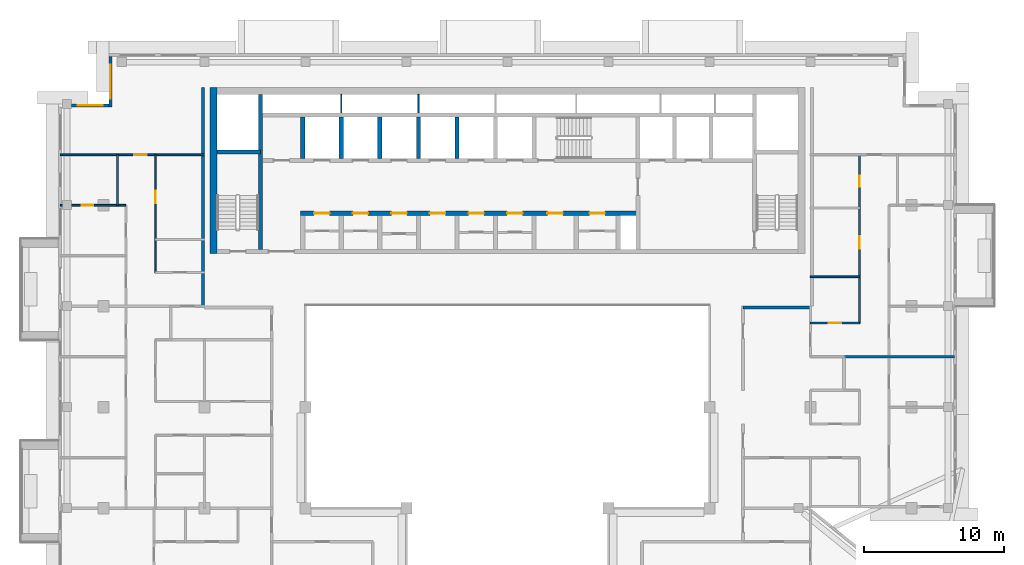
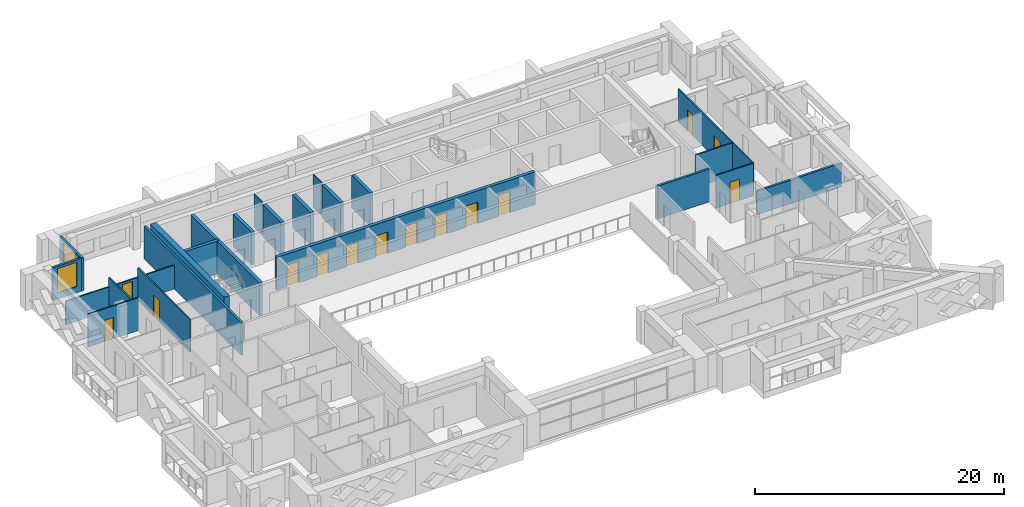
# One storey, part 10 of 19: 23 walls, 14 doors, 2 windows, 16 openings.
"""IFC4 building model written with IfcOpenShell, lengths in metres."""

from ifc_helpers import new_model, si_unit, direction, frame, frame_2d, origin, place, context, subcontext, project, spatial, rectangle, extrude, material, layer, layer_set, type_object, element, fill, save


model = new_model("IFC4")

# Units and contexts
model_context = context("Model", 3, precision=1e-05, world=origin(), true_north=direction((0.0, 1.0)))
body_context = subcontext(model_context, "Body", "Model", "MODEL_VIEW")
ifc_project = project(units=[si_unit("LENGTHUNIT", "METRE"), si_unit("AREAUNIT", "SQUARE_METRE"), si_unit("VOLUMEUNIT", "CUBIC_METRE"), si_unit("PLANEANGLEUNIT", "RADIAN"), si_unit("MASSUNIT", "GRAM", prefix="KILO")], contexts=[model_context])

# Site, building, storey
site_placement = place(None, origin())
site = spatial("IfcSite", under=ifc_project, at=site_placement, CompositionType="ELEMENT")
building_placement = place(site_placement, origin())
building = spatial("IfcBuilding", under=site, at=building_placement, Name="Saffron Iwan Residences", CompositionType="ELEMENT")
storey_placement = place(building_placement, frame((0.0, 0.0, 250.0)))
storey = spatial("IfcBuildingStorey", under=building, at=storey_placement, Name="L67", CompositionType="ELEMENT", Elevation=250.0)

# Wall, opening, window
ifc_material_1 = material(Name="Concrete C40/50", Category="concrete")
ifc_layer_1 = layer(ifc_material_1, 0.199951171875)
ifc_layer_set_1 = layer_set([ifc_layer_1], Name="Concrete C40/50")
wall_type_1 = type_object("IfcWallType", Name="EXTERNAL WALL 200", PredefinedType="SOLIDWALL", material=ifc_layer_set_1)
wall_1_placement = place(storey_placement, frame((22.10009765625, 80.199951171875, 0.0), z_axis=(0.0, 0.0, 1.0), x_axis=(0.0, -1.0, 0.0)))
wall_1 = element("IfcWall", 1, at=wall_1_placement, inside=storey, type_object=wall_type_1, Name="External wall L67 F6.0", PredefinedType="SOLIDWALL", context=body_context, shape_type="SweptSolid", body=[
    extrude(rectangle(XDim=3.599853515625, YDim=0.199951171875, at=frame_2d((1.7998046875, 0.0))), origin(), (0.0, 0.0, 1.0), 3.219970703125),
])
opening_1_placement = place(wall_1_placement, frame((0.60009765625, 0.0, 0.60009765625)))
opening_1 = element("IfcOpeningElement", 2, at=opening_1_placement, cuts=wall_1, Name="Opening W1", PredefinedType="OPENING", context=body_context, shape_type="SweptSolid", body=[
    extrude(rectangle(XDim=2.39990234375, YDim=2.39990234375, at=frame_2d((1.199951171875, 1.199951171875))), frame((0.0, 0.10986328125, 0.0), z_axis=(0.0, -1.0, 0.0), x_axis=(1.0, 0.0, 0.0)), (0.0, 0.0, 1.0), 0.219970703125),
])
ifc_material_2 = material(Name="Clear glass, laminated double glazed", Category="glass")
window_type_1 = type_object("IfcWindowType", Name="WINDOW 2400 x 2400", PartitioningType="DOUBLE_PANEL_VERTICAL", PredefinedType="WINDOW", material=ifc_material_2)
window_1_placement = place(opening_1_placement, origin())
window_1 = element("IfcWindow", 3, at=window_1_placement, inside=storey, type_object=window_type_1, Name="Window L67 F6.0", OverallHeight=2.39990234375, OverallWidth=2.39990234375, PartitioningType="DOUBLE_PANEL_VERTICAL", PredefinedType="WINDOW", context=body_context, shape_type="SweptSolid", body=[
    extrude(rectangle(XDim=2.39990234375, YDim=2.39990234375, at=frame_2d((1.199951171875, 1.199951171875))), frame((0.0, 0.030029296875, 0.0), z_axis=(0.0, -1.0, 0.0), x_axis=(1.0, 0.0, 0.0)), (0.0, 0.0, 1.0), 0.06005859375),
])
fill(opening_1, window_1)

wall_2_placement = place(storey_placement, frame((22.0, 76.699951171875, 0.0), z_axis=(0.0, 0.0, 1.0), x_axis=(-1.0, 0.0, 0.0)))
wall_2 = element("IfcWall", 4, at=wall_2_placement, inside=storey, type_object=wall_type_1, Name="External wall L67 F7.0", PredefinedType="SOLIDWALL", context=body_context, shape_type="SweptSolid", body=[
    extrude(rectangle(XDim=2.675048828125, YDim=0.199951171875, at=frame_2d((1.33740234375, 0.0))), origin(), (0.0, 0.0, 1.0), 3.219970703125),
])
opening_2_placement = place(wall_2_placement, frame((0.4375, 0.0, 0.60009765625)))
opening_2 = element("IfcOpeningElement", 5, at=opening_2_placement, cuts=wall_2, Name="Opening W8", PredefinedType="OPENING", context=body_context, shape_type="SweptSolid", body=[
    extrude(rectangle(XDim=1.800048828125, YDim=2.39990234375, at=frame_2d((0.89990234375, 1.199951171875))), frame((0.0, 0.10986328125, 0.0), z_axis=(0.0, -1.0, 0.0), x_axis=(1.0, 0.0, 0.0)), (0.0, 0.0, 1.0), 0.219970703125),
])
window_type_2 = type_object("IfcWindowType", Name="WINDOW 1800 x 2400", PartitioningType="DOUBLE_PANEL_VERTICAL", PredefinedType="WINDOW", material=ifc_material_2)
window_2_placement = place(opening_2_placement, origin())
window_2 = element("IfcWindow", 6, at=window_2_placement, inside=storey, type_object=window_type_2, Name="Window L67 F7.0", OverallHeight=2.39990234375, OverallWidth=1.800048828125, PartitioningType="DOUBLE_PANEL_VERTICAL", PredefinedType="WINDOW", context=body_context, shape_type="SweptSolid", body=[
    extrude(rectangle(XDim=1.800048828125, YDim=2.39990234375, at=frame_2d((0.89990234375, 1.199951171875))), frame((0.0, 0.030029296875, 0.0), z_axis=(0.0, -1.0, 0.0), x_axis=(1.0, 0.0, 0.0)), (0.0, 0.0, 1.0), 0.06005859375),
])
fill(opening_2, window_2)

# Wall
ifc_material_3 = material(Name="Fire-rated gypsum board wall")
ifc_layer_2 = layer(ifc_material_3, 0.199951171875)
ifc_layer_set_2 = layer_set([ifc_layer_2], Name="Fire-rated gypsum board wall")
wall_type_2 = type_object("IfcWallType", Name="Flat demising wall 200", PredefinedType="SOLIDWALL", material=ifc_layer_set_2)
wall_3_placement = place(storey_placement, frame((74.39990234375, 58.800048828125, 0.0), z_axis=(0.0, 0.0, 1.0), x_axis=(1.0, 0.0, 0.0)))
element("IfcWall", 7, at=wall_3_placement, inside=storey, type_object=wall_type_2, Name="W-L67-DEMISE-h58.8-74.4", PredefinedType="SOLIDWALL", context=body_context, shape_type="SweptSolid", body=[
    extrude(rectangle(XDim=7.875, YDim=0.199951171875, at=frame_2d((3.9375, 0.0))), origin(), (0.0, 0.0, 1.0), 2.320068359375),
])

# Wall, opening, door
ifc_material_4 = material(Name="Gypsum board partition")
ifc_layer_3 = layer(ifc_material_4, 0.1201171875)
ifc_layer_set_3 = layer_set([ifc_layer_3], Name="Gypsum board partition")
wall_type_3 = type_object("IfcWallType", Name="Flat partition 120", PredefinedType="PARTITIONING", material=ifc_layer_set_3)
wall_4_placement = place(storey_placement, frame((72.0, 61.199951171875, 0.0), z_axis=(0.0, 0.0, 1.0), x_axis=(1.0, 0.0, 0.0)))
wall_4 = element("IfcWall", 8, at=wall_4_placement, inside=storey, type_object=wall_type_3, Name="W-L67-PART-h61.2-72", PredefinedType="PARTITIONING", context=body_context, shape_type="SweptSolid", body=[
    extrude(rectangle(XDim=3.5, YDim=0.1201171875, at=frame_2d((1.75, 0.0))), origin(), (0.0, 0.0, 1.0), 3.219970703125),
])
opening_3_placement = place(wall_4_placement, frame((1.300048828125, 0.0, 0.0)))
opening_3 = element("IfcOpeningElement", 9, at=opening_3_placement, cuts=wall_4, Name="Opening FD2", PredefinedType="OPENING", context=body_context, shape_type="SweptSolid", body=[
    extrude(rectangle(XDim=0.89990234375, YDim=2.10009765625, at=frame_2d((0.449951171875, 1.050048828125))), frame((0.0, 0.070068359375, 0.0), z_axis=(0.0, -1.0, 0.0), x_axis=(1.0, 0.0, 0.0)), (0.0, 0.0, 1.0), 0.14013671875),
])
ifc_material_5 = material(Name="Timber door", Category="wood")
door_type_1 = type_object("IfcDoorType", Name="Flat door 900", OperationType="NOTDEFINED", PredefinedType="DOOR", material=ifc_material_5)
door_1_placement = place(opening_3_placement, origin())
door_1 = element("IfcDoor", 10, at=door_1_placement, inside=storey, type_object=door_type_1, Name="Door L67-037", OperationType="SINGLE_SWING_LEFT", OverallHeight=2.10009765625, OverallWidth=0.89990234375, PredefinedType="DOOR", context=body_context, shape_type="SweptSolid", body=[
    extrude(rectangle(XDim=0.89990234375, YDim=2.10009765625, at=frame_2d((0.449951171875, 1.050048828125))), frame((0.0, 0.02490234375, 0.0), z_axis=(0.0, -1.0, 0.0), x_axis=(1.0, 0.0, 0.0)), (0.0, 0.0, 1.0), 0.050048828125),
])
fill(opening_3, door_1)

# Wall
wall_5_placement = place(storey_placement, frame((72.0, 64.5, 0.0), z_axis=(0.0, 0.0, 1.0), x_axis=(1.0, 0.0, 0.0)))
element("IfcWall", 11, at=wall_5_placement, inside=storey, type_object=wall_type_3, Name="W-L67-PART-h64.5-72", PredefinedType="PARTITIONING", context=body_context, shape_type="SweptSolid", body=[
    extrude(rectangle(XDim=3.5, YDim=0.1201171875, at=frame_2d((1.75, 0.0))), origin(), (0.0, 0.0, 1.0), 3.219970703125),
])

# Wall, opening, door
wall_6_placement = place(storey_placement, frame((18.52490234375, 69.60009765625, 0.0), z_axis=(0.0, 0.0, 1.0), x_axis=(1.0, 0.0, 0.0)))
wall_6 = element("IfcWall", 12, at=wall_6_placement, inside=storey, type_object=wall_type_3, Name="W-L67-PART-h69.6-18.525", PredefinedType="PARTITIONING", context=body_context, shape_type="SweptSolid", body=[
    extrude(rectangle(XDim=4.675048828125, YDim=0.1201171875, at=frame_2d((2.33740234375, 0.0))), origin(), (0.0, 0.0, 1.0), 3.219970703125),
])
opening_4_placement = place(wall_6_placement, frame((1.53759765625, 0.0, 0.0)))
opening_4 = element("IfcOpeningElement", 13, at=opening_4_placement, cuts=wall_6, Name="Opening FD3", PredefinedType="OPENING", context=body_context, shape_type="SweptSolid", body=[
    extrude(rectangle(XDim=0.800048828125, YDim=2.10009765625, at=frame_2d((0.39990234375, 1.050048828125))), frame((0.0, 0.070068359375, 0.0), z_axis=(0.0, -1.0, 0.0), x_axis=(1.0, 0.0, 0.0)), (0.0, 0.0, 1.0), 0.14013671875),
])
door_type_2 = type_object("IfcDoorType", Name="Bathroom door 800", OperationType="NOTDEFINED", PredefinedType="DOOR", material=ifc_material_5)
door_2_placement = place(opening_4_placement, origin())
door_2 = element("IfcDoor", 14, at=door_2_placement, inside=storey, type_object=door_type_2, Name="Door L67-027", OperationType="SINGLE_SWING_LEFT", OverallHeight=2.10009765625, OverallWidth=0.800048828125, PredefinedType="DOOR", context=body_context, shape_type="SweptSolid", body=[
    extrude(rectangle(XDim=0.800048828125, YDim=2.10009765625, at=frame_2d((0.39990234375, 1.050048828125))), frame((0.0, 0.02490234375, 0.0), z_axis=(0.0, -1.0, 0.0), x_axis=(1.0, 0.0, 0.0)), (0.0, 0.0, 1.0), 0.050048828125),
])
fill(opening_4, door_2)

wall_7_placement = place(storey_placement, frame((18.52490234375, 73.199951171875, 0.0), z_axis=(0.0, 0.0, 1.0), x_axis=(1.0, 0.0, 0.0)))
wall_7 = element("IfcWall", 15, at=wall_7_placement, inside=storey, type_object=wall_type_3, Name="W-L67-PART-h73.2-18.525", PredefinedType="PARTITIONING", context=body_context, shape_type="SweptSolid", body=[
    extrude(rectangle(XDim=10.275146484375, YDim=0.1201171875, at=frame_2d((5.1376953125, 0.0))), origin(), (0.0, 0.0, 1.0), 2.320068359375),
])
opening_5_placement = place(wall_7_placement, frame((5.27490234375, 0.0, 0.0)))
opening_5 = element("IfcOpeningElement", 16, at=opening_5_placement, cuts=wall_7, Name="Opening FD2", PredefinedType="OPENING", context=body_context, shape_type="SweptSolid", body=[
    extrude(rectangle(XDim=0.89990234375, YDim=2.10009765625, at=frame_2d((0.449951171875, 1.050048828125))), frame((0.0, 0.070068359375, 0.0), z_axis=(0.0, -1.0, 0.0), x_axis=(1.0, 0.0, 0.0)), (0.0, 0.0, 1.0), 0.14013671875),
])
door_3_placement = place(opening_5_placement, origin())
door_3 = element("IfcDoor", 17, at=door_3_placement, inside=storey, type_object=door_type_1, Name="Door L67-028", OperationType="SINGLE_SWING_LEFT", OverallHeight=2.10009765625, OverallWidth=0.89990234375, PredefinedType="DOOR", context=body_context, shape_type="SweptSolid", body=[
    extrude(rectangle(XDim=0.89990234375, YDim=2.10009765625, at=frame_2d((0.449951171875, 1.050048828125))), frame((0.0, 0.02490234375, 0.0), z_axis=(0.0, -1.0, 0.0), x_axis=(1.0, 0.0, 0.0)), (0.0, 0.0, 1.0), 0.050048828125),
])
fill(opening_5, door_3)

# Wall
wall_8_placement = place(storey_placement, frame((22.60009765625, 69.60009765625, 0.0), z_axis=(0.0, 0.0, 1.0), x_axis=(0.0, 1.0, 0.0)))
element("IfcWall", 18, at=wall_8_placement, inside=storey, type_object=wall_type_3, Name="W-L67-PART-v22.6-69.6", PredefinedType="PARTITIONING", context=body_context, shape_type="SweptSolid", body=[
    extrude(rectangle(XDim=3.599853515625, YDim=0.1201171875, at=frame_2d((1.7998046875, 0.0))), origin(), (0.0, 0.0, 1.0), 3.219970703125),
])

# Wall, opening, door
wall_9_placement = place(storey_placement, frame((25.300048828125, 64.800048828125, 0.0), z_axis=(0.0, 0.0, 1.0), x_axis=(0.0, 1.0, 0.0)))
wall_9 = element("IfcWall", 19, at=wall_9_placement, inside=storey, type_object=wall_type_3, Name="W-L67-PART-v25.3-64.8", PredefinedType="PARTITIONING", context=body_context, shape_type="SweptSolid", body=[
    extrude(rectangle(XDim=8.39990234375, YDim=0.1201171875, at=frame_2d((4.199951171875, 0.0))), origin(), (0.0, 0.0, 1.0), 3.219970703125),
])
opening_6_placement = place(wall_9_placement, frame((4.925048828125, 0.0, 0.0)))
opening_6 = element("IfcOpeningElement", 20, at=opening_6_placement, cuts=wall_9, Name="Opening FD2", PredefinedType="OPENING", context=body_context, shape_type="SweptSolid", body=[
    extrude(rectangle(XDim=0.89990234375, YDim=2.10009765625, at=frame_2d((0.449951171875, 1.050048828125))), frame((0.0, 0.070068359375, 0.0), z_axis=(0.0, -1.0, 0.0), x_axis=(1.0, 0.0, 0.0)), (0.0, 0.0, 1.0), 0.14013671875),
])
door_4_placement = place(opening_6_placement, origin())
door_4 = element("IfcDoor", 21, at=door_4_placement, inside=storey, type_object=door_type_1, Name="Door L67-030", OperationType="SINGLE_SWING_RIGHT", OverallHeight=2.10009765625, OverallWidth=0.89990234375, PredefinedType="DOOR", context=body_context, shape_type="SweptSolid", body=[
    extrude(rectangle(XDim=0.89990234375, YDim=2.10009765625, at=frame_2d((0.449951171875, 1.050048828125))), frame((0.0, 0.02490234375, 0.0), z_axis=(0.0, -1.0, 0.0), x_axis=(1.0, 0.0, 0.0)), (0.0, 0.0, 1.0), 0.050048828125),
])
fill(opening_6, door_4)

# Wall, openings, doors
wall_10_placement = place(storey_placement, frame((75.5, 61.199951171875, 0.0), z_axis=(0.0, 0.0, 1.0), x_axis=(0.0, 1.0, 0.0)))
wall_10 = element("IfcWall", 22, at=wall_10_placement, inside=storey, type_object=wall_type_3, Name="W-L67-PART-v75.5-61.2", PredefinedType="PARTITIONING", context=body_context, shape_type="SweptSolid", body=[
    extrude(rectangle(XDim=12.0, YDim=0.1201171875, at=frame_2d((6.0, 0.0))), origin(), (0.0, 0.0, 1.0), 3.219970703125),
])
opening_7_placement = place(wall_10_placement, frame((5.300048828125, 0.0, 0.0)))
opening_7 = element("IfcOpeningElement", 23, at=opening_7_placement, cuts=wall_10, Name="Opening FD2", PredefinedType="OPENING", context=body_context, shape_type="SweptSolid", body=[
    extrude(rectangle(XDim=0.89990234375, YDim=2.10009765625, at=frame_2d((0.449951171875, 1.050048828125))), frame((0.0, 0.070068359375, 0.0), z_axis=(0.0, -1.0, 0.0), x_axis=(1.0, 0.0, 0.0)), (0.0, 0.0, 1.0), 0.14013671875),
])
opening_8_placement = place(wall_10_placement, frame((9.699951171875, 0.0, 0.0)))
opening_8 = element("IfcOpeningElement", 24, at=opening_8_placement, cuts=wall_10, Name="Opening FD3", PredefinedType="OPENING", context=body_context, shape_type="SweptSolid", body=[
    extrude(rectangle(XDim=0.800048828125, YDim=2.10009765625, at=frame_2d((0.39990234375, 1.050048828125))), frame((0.0, 0.070068359375, 0.0), z_axis=(0.0, -1.0, 0.0), x_axis=(1.0, 0.0, 0.0)), (0.0, 0.0, 1.0), 0.14013671875),
])
door_5_placement = place(opening_8_placement, origin())
door_5 = element("IfcDoor", 25, at=door_5_placement, inside=storey, type_object=door_type_2, Name="Door L67-039", OperationType="SINGLE_SWING_RIGHT", OverallHeight=2.10009765625, OverallWidth=0.800048828125, PredefinedType="DOOR", context=body_context, shape_type="SweptSolid", body=[
    extrude(rectangle(XDim=0.800048828125, YDim=2.10009765625, at=frame_2d((0.39990234375, 1.050048828125))), frame((0.0, 0.02490234375, 0.0), z_axis=(0.0, -1.0, 0.0), x_axis=(1.0, 0.0, 0.0)), (0.0, 0.0, 1.0), 0.050048828125),
])
fill(opening_8, door_5)
door_6_placement = place(opening_7_placement, origin())
door_6 = element("IfcDoor", 26, at=door_6_placement, inside=storey, type_object=door_type_1, Name="Door L67-038", OperationType="SINGLE_SWING_LEFT", OverallHeight=2.10009765625, OverallWidth=0.89990234375, PredefinedType="DOOR", context=body_context, shape_type="SweptSolid", body=[
    extrude(rectangle(XDim=0.89990234375, YDim=2.10009765625, at=frame_2d((0.449951171875, 1.050048828125))), frame((0.0, 0.02490234375, 0.0), z_axis=(0.0, -1.0, 0.0), x_axis=(1.0, 0.0, 0.0)), (0.0, 0.0, 1.0), 0.050048828125),
])
fill(opening_7, door_6)

# Walls
ifc_layer_4 = layer(ifc_material_3, 0.199951171875)
ifc_layer_set_4 = layer_set([ifc_layer_4], Name="Fire-rated gypsum board wall")
wall_type_4 = type_object("IfcWallType", Name="Gallery wall 200", PredefinedType="SOLIDWALL", material=ifc_layer_set_4)
wall_11_placement = place(storey_placement, frame((67.199951171875, 62.300048828125, 0.0), z_axis=(0.0, 0.0, 1.0), x_axis=(1.0, 0.0, 0.0)))
element("IfcWall", 27, at=wall_11_placement, inside=storey, type_object=wall_type_4, Name="W-L67-CORR-h62.4-67.2", PredefinedType="SOLIDWALL", context=body_context, shape_type="SweptSolid", body=[
    extrude(rectangle(XDim=4.800048828125, YDim=0.199951171875, at=frame_2d((2.39990234375, 0.0))), origin(), (0.0, 0.0, 1.0), 3.219970703125),
])
wall_12_placement = place(storey_placement, frame((28.699951171875, 62.39990234375, 0.0), z_axis=(0.0, 0.0, 1.0), x_axis=(0.0, 1.0, 0.0)))
element("IfcWall", 28, at=wall_12_placement, inside=storey, type_object=wall_type_4, Name="W-L67-CORR-v28.8-62.4", PredefinedType="SOLIDWALL", context=body_context, shape_type="SweptSolid", body=[
    extrude(rectangle(XDim=15.60009765625, YDim=0.199951171875, at=frame_2d((7.800048828125, 0.0))), origin(), (0.0, 0.0, 1.0), 3.219970703125),
])
ifc_material_6 = material(Name="Fire-rated plasterboard partition")
ifc_layer_5 = layer(ifc_material_6, 0.10009765625)
ifc_layer_set_5 = layer_set([ifc_layer_5], Name="Fire-rated plasterboard partition")
wall_type_5 = type_object("IfcWallType", Name="Riser partition 100", PredefinedType="PARTITIONING", material=ifc_layer_set_5)
for number, where, z_axis, x_axis, name in (
    (29, (38.550048828125, 76.175048828125, 0.0), (0.0, 0.0, 1.0), (0.0, 1.0, 0.0), "Core partition P07"),
    (30, (44.050048828125, 76.175048828125, 0.0), (0.0, 0.0, 1.0), (0.0, 1.0, 0.0), "Core partition P08"),
):
    element("IfcWall", number, at=place(storey_placement, frame(where, z_axis=z_axis, x_axis=x_axis)), inside=storey, type_object=wall_type_5, Name=name, PredefinedType="PARTITIONING", context=body_context, shape_type="SweptSolid", body=[
        extrude(rectangle(XDim=1.324951171875, YDim=0.10009765625, at=frame_2d((0.66259765625, 0.0))), origin(), (0.0, 0.0, 1.0), 3.219970703125),
    ])

# Wall, openings, doors
ifc_layer_6 = layer(ifc_material_1, 0.300048828125)
ifc_layer_set_6 = layer_set([ifc_layer_6], Name="Concrete C40/50")
wall_type_6 = type_object("IfcWallType", Name="WALL CORE 300 C40/50 3220 HIGH", PredefinedType="SHEAR", material=ifc_layer_set_6)
wall_13_placement = place(storey_placement, frame((35.64990234375, 69.02490234375, 0.0), z_axis=(0.0, 0.0, 1.0), x_axis=(1.0, 0.0, 0.0)))
wall_13 = element("IfcWall", 31, at=wall_13_placement, inside=storey, type_object=wall_type_6, Name="Core wall", PredefinedType="SHEAR", context=body_context, shape_type="SweptSolid", body=[
    extrude(rectangle(XDim=24.050048828125, YDim=0.300048828125, at=frame_2d((12.02490234375, 0.0))), origin(), (0.0, 0.0, 1.0), 3.219970703125),
])
opening_9_placement = place(wall_13_placement, frame((0.97509765625, 0.0, 0.0)))
opening_9 = element("IfcOpeningElement", 32, at=opening_9_placement, cuts=wall_13, Name="Opening SR", PredefinedType="OPENING", context=body_context, shape_type="SweptSolid", body=[
    extrude(rectangle(XDim=1.10009765625, YDim=2.10009765625, at=frame_2d((0.550048828125, 1.050048828125))), frame((0.0, 0.16015625, 0.0), z_axis=(0.0, -1.0, 0.0), x_axis=(1.0, 0.0, 0.0)), (0.0, 0.0, 1.0), 0.320068359375),
])
opening_10_placement = place(wall_13_placement, frame((3.72509765625, 0.0, 0.0)))
opening_10 = element("IfcOpeningElement", 33, at=opening_10_placement, cuts=wall_13, Name="Opening SR", PredefinedType="OPENING", context=body_context, shape_type="SweptSolid", body=[
    extrude(rectangle(XDim=1.10009765625, YDim=2.10009765625, at=frame_2d((0.550048828125, 1.050048828125))), frame((0.0, 0.16015625, 0.0), z_axis=(0.0, -1.0, 0.0), x_axis=(1.0, 0.0, 0.0)), (0.0, 0.0, 1.0), 0.320068359375),
])
opening_11_placement = place(wall_13_placement, frame((6.47509765625, 0.0, 0.0)))
opening_11 = element("IfcOpeningElement", 34, at=opening_11_placement, cuts=wall_13, Name="Opening SR", PredefinedType="OPENING", context=body_context, shape_type="SweptSolid", body=[
    extrude(rectangle(XDim=1.10009765625, YDim=2.10009765625, at=frame_2d((0.550048828125, 1.050048828125))), frame((0.0, 0.16015625, 0.0), z_axis=(0.0, -1.0, 0.0), x_axis=(1.0, 0.0, 0.0)), (0.0, 0.0, 1.0), 0.320068359375),
])
opening_12_placement = place(wall_13_placement, frame((9.22509765625, 0.0, 0.0)))
opening_12 = element("IfcOpeningElement", 35, at=opening_12_placement, cuts=wall_13, Name="Opening SR", PredefinedType="OPENING", context=body_context, shape_type="SweptSolid", body=[
    extrude(rectangle(XDim=1.10009765625, YDim=2.10009765625, at=frame_2d((0.550048828125, 1.050048828125))), frame((0.0, 0.16015625, 0.0), z_axis=(0.0, -1.0, 0.0), x_axis=(1.0, 0.0, 0.0)), (0.0, 0.0, 1.0), 0.320068359375),
])
opening_13_placement = place(wall_13_placement, frame((11.97509765625, 0.0, 0.0)))
opening_13 = element("IfcOpeningElement", 36, at=opening_13_placement, cuts=wall_13, Name="Opening SR", PredefinedType="OPENING", context=body_context, shape_type="SweptSolid", body=[
    extrude(rectangle(XDim=1.10009765625, YDim=2.10009765625, at=frame_2d((0.550048828125, 1.050048828125))), frame((0.0, 0.16015625, 0.0), z_axis=(0.0, -1.0, 0.0), x_axis=(1.0, 0.0, 0.0)), (0.0, 0.0, 1.0), 0.320068359375),
])
opening_14_placement = place(wall_13_placement, frame((14.72509765625, 0.0, 0.0)))
opening_14 = element("IfcOpeningElement", 37, at=opening_14_placement, cuts=wall_13, Name="Opening SR", PredefinedType="OPENING", context=body_context, shape_type="SweptSolid", body=[
    extrude(rectangle(XDim=1.10009765625, YDim=2.10009765625, at=frame_2d((0.550048828125, 1.050048828125))), frame((0.0, 0.16015625, 0.0), z_axis=(0.0, -1.0, 0.0), x_axis=(1.0, 0.0, 0.0)), (0.0, 0.0, 1.0), 0.320068359375),
])
opening_15_placement = place(wall_13_placement, frame((17.60009765625, 0.0, 0.0)))
opening_15 = element("IfcOpeningElement", 38, at=opening_15_placement, cuts=wall_13, Name="Opening SR", PredefinedType="OPENING", context=body_context, shape_type="SweptSolid", body=[
    extrude(rectangle(XDim=1.10009765625, YDim=2.10009765625, at=frame_2d((0.550048828125, 1.050048828125))), frame((0.0, 0.16015625, 0.0), z_axis=(0.0, -1.0, 0.0), x_axis=(1.0, 0.0, 0.0)), (0.0, 0.0, 1.0), 0.320068359375),
])
opening_16_placement = place(wall_13_placement, frame((20.60009765625, 0.0, 0.0)))
opening_16 = element("IfcOpeningElement", 39, at=opening_16_placement, cuts=wall_13, Name="Opening SR", PredefinedType="OPENING", context=body_context, shape_type="SweptSolid", body=[
    extrude(rectangle(XDim=1.10009765625, YDim=2.10009765625, at=frame_2d((0.550048828125, 1.050048828125))), frame((0.0, 0.16015625, 0.0), z_axis=(0.0, -1.0, 0.0), x_axis=(1.0, 0.0, 0.0)), (0.0, 0.0, 1.0), 0.320068359375),
])
ifc_material_7 = material(Name="Steel fire door", Category="steel")
door_type_3 = type_object("IfcDoorType", Name="Service door 1100", OperationType="NOTDEFINED", PredefinedType="DOOR", material=ifc_material_7)
door_7_placement = place(opening_9_placement, origin())
door_7 = element("IfcDoor", 40, at=door_7_placement, inside=storey, type_object=door_type_3, Name="Door Maintenance store", OperationType="SINGLE_SWING_RIGHT", OverallHeight=2.10009765625, OverallWidth=1.10009765625, PredefinedType="DOOR", context=body_context, shape_type="SweptSolid", body=[
    extrude(rectangle(XDim=1.10009765625, YDim=2.10009765625, at=frame_2d((0.550048828125, 1.050048828125))), frame((0.0, 0.02490234375, 0.0), z_axis=(0.0, -1.0, 0.0), x_axis=(1.0, 0.0, 0.0)), (0.0, 0.0, 1.0), 0.050048828125),
])
fill(opening_9, door_7)
door_8_placement = place(opening_10_placement, origin())
door_8 = element("IfcDoor", 41, at=door_8_placement, inside=storey, type_object=door_type_3, Name="Door Linen store", OperationType="SINGLE_SWING_LEFT", OverallHeight=2.10009765625, OverallWidth=1.10009765625, PredefinedType="DOOR", context=body_context, shape_type="SweptSolid", body=[
    extrude(rectangle(XDim=1.10009765625, YDim=2.10009765625, at=frame_2d((0.550048828125, 1.050048828125))), frame((0.0, 0.02490234375, 0.0), z_axis=(0.0, -1.0, 0.0), x_axis=(1.0, 0.0, 0.0)), (0.0, 0.0, 1.0), 0.050048828125),
])
fill(opening_10, door_8)
door_9_placement = place(opening_11_placement, origin())
door_9 = element("IfcDoor", 42, at=door_9_placement, inside=storey, type_object=door_type_3, Name="Door Pantry", OperationType="SINGLE_SWING_RIGHT", OverallHeight=2.10009765625, OverallWidth=1.10009765625, PredefinedType="DOOR", context=body_context, shape_type="SweptSolid", body=[
    extrude(rectangle(XDim=1.10009765625, YDim=2.10009765625, at=frame_2d((0.550048828125, 1.050048828125))), frame((0.0, 0.02490234375, 0.0), z_axis=(0.0, -1.0, 0.0), x_axis=(1.0, 0.0, 0.0)), (0.0, 0.0, 1.0), 0.050048828125),
])
fill(opening_11, door_9)
door_10_placement = place(opening_12_placement, origin())
door_10 = element("IfcDoor", 43, at=door_10_placement, inside=storey, type_object=door_type_3, Name="Door Electrical room", OperationType="SINGLE_SWING_LEFT", OverallHeight=2.10009765625, OverallWidth=1.10009765625, PredefinedType="DOOR", context=body_context, shape_type="SweptSolid", body=[
    extrude(rectangle(XDim=1.10009765625, YDim=2.10009765625, at=frame_2d((0.550048828125, 1.050048828125))), frame((0.0, 0.02490234375, 0.0), z_axis=(0.0, -1.0, 0.0), x_axis=(1.0, 0.0, 0.0)), (0.0, 0.0, 1.0), 0.050048828125),
])
fill(opening_12, door_10)
door_11_placement = place(opening_13_placement, origin())
door_11 = element("IfcDoor", 44, at=door_11_placement, inside=storey, type_object=door_type_3, Name="Door Luggage store", OperationType="SINGLE_SWING_RIGHT", OverallHeight=2.10009765625, OverallWidth=1.10009765625, PredefinedType="DOOR", context=body_context, shape_type="SweptSolid", body=[
    extrude(rectangle(XDim=1.10009765625, YDim=2.10009765625, at=frame_2d((0.550048828125, 1.050048828125))), frame((0.0, 0.02490234375, 0.0), z_axis=(0.0, -1.0, 0.0), x_axis=(1.0, 0.0, 0.0)), (0.0, 0.0, 1.0), 0.050048828125),
])
fill(opening_13, door_11)
door_12_placement = place(opening_14_placement, origin())
door_12 = element("IfcDoor", 45, at=door_12_placement, inside=storey, type_object=door_type_3, Name="Door Refuse store", OperationType="SINGLE_SWING_LEFT", OverallHeight=2.10009765625, OverallWidth=1.10009765625, PredefinedType="DOOR", context=body_context, shape_type="SweptSolid", body=[
    extrude(rectangle(XDim=1.10009765625, YDim=2.10009765625, at=frame_2d((0.550048828125, 1.050048828125))), frame((0.0, 0.02490234375, 0.0), z_axis=(0.0, -1.0, 0.0), x_axis=(1.0, 0.0, 0.0)), (0.0, 0.0, 1.0), 0.050048828125),
])
fill(opening_14, door_12)
door_13_placement = place(opening_15_placement, origin())
door_13 = element("IfcDoor", 46, at=door_13_placement, inside=storey, type_object=door_type_3, Name="Door Housekeeping store", OperationType="SINGLE_SWING_RIGHT", OverallHeight=2.10009765625, OverallWidth=1.10009765625, PredefinedType="DOOR", context=body_context, shape_type="SweptSolid", body=[
    extrude(rectangle(XDim=1.10009765625, YDim=2.10009765625, at=frame_2d((0.550048828125, 1.050048828125))), frame((0.0, 0.02490234375, 0.0), z_axis=(0.0, -1.0, 0.0), x_axis=(1.0, 0.0, 0.0)), (0.0, 0.0, 1.0), 0.050048828125),
])
fill(opening_15, door_13)
door_14_placement = place(opening_16_placement, origin())
door_14 = element("IfcDoor", 47, at=door_14_placement, inside=storey, type_object=door_type_3, Name="Door Cleaner's store", OperationType="SINGLE_SWING_RIGHT", OverallHeight=2.10009765625, OverallWidth=1.10009765625, PredefinedType="DOOR", context=body_context, shape_type="SweptSolid", body=[
    extrude(rectangle(XDim=1.10009765625, YDim=2.10009765625, at=frame_2d((0.550048828125, 1.050048828125))), frame((0.0, 0.02490234375, 0.0), z_axis=(0.0, -1.0, 0.0), x_axis=(1.0, 0.0, 0.0)), (0.0, 0.0, 1.0), 0.050048828125),
])
fill(opening_16, door_14)

# Walls
wall_14_placement = place(storey_placement, frame((29.699951171875, 73.39990234375, 0.0), z_axis=(0.0, 0.0, 1.0), x_axis=(1.0, 0.0, 0.0)))
element("IfcWall", 48, at=wall_14_placement, inside=storey, type_object=wall_type_6, Name="Core wall", PredefinedType="SHEAR", context=body_context, shape_type="SweptSolid", body=[
    extrude(rectangle(XDim=3.10009765625, YDim=0.300048828125, at=frame_2d((1.550048828125, 0.0))), origin(), (0.0, 0.0, 1.0), 3.219970703125),
])
wall_15_placement = place(storey_placement, frame((32.800048828125, 66.449951171875, 0.0), z_axis=(0.0, 0.0, 1.0), x_axis=(0.0, 1.0, 0.0)))
element("IfcWall", 49, at=wall_15_placement, inside=storey, type_object=wall_type_6, Name="Core wall", PredefinedType="SHEAR", context=body_context, shape_type="SweptSolid", body=[
    extrude(rectangle(XDim=11.050048828125, YDim=0.300048828125, at=frame_2d((5.52490234375, 0.0))), origin(), (0.0, 0.0, 1.0), 3.219970703125),
])
for number, where, z_axis, x_axis, name in (
    (50, (35.800048828125, 72.925048828125, 0.0), (0.0, 0.0, 1.0), (0.0, 1.0, 0.0), "Core wall"),
    (51, (38.550048828125, 72.925048828125, 0.0), (0.0, 0.0, 1.0), (0.0, 1.0, 0.0), "Core wall"),
    (52, (41.300048828125, 72.925048828125, 0.0), (0.0, 0.0, 1.0), (0.0, 1.0, 0.0), "Core wall"),
    (53, (44.050048828125, 72.925048828125, 0.0), (0.0, 0.0, 1.0), (0.0, 1.0, 0.0), "Core wall"),
    (54, (46.800048828125, 72.925048828125, 0.0), (0.0, 0.0, 1.0), (0.0, 1.0, 0.0), "Core wall"),
):
    element("IfcWall", number, at=place(storey_placement, frame(where, z_axis=z_axis, x_axis=x_axis)), inside=storey, type_object=wall_type_6, Name=name, PredefinedType="SHEAR", context=body_context, shape_type="SweptSolid", body=[
        extrude(rectangle(XDim=2.949951171875, YDim=0.300048828125, at=frame_2d((1.47509765625, 0.0))), origin(), (0.0, 0.0, 1.0), 3.219970703125),
    ])
ifc_layer_7 = layer(ifc_material_1, 0.5)
ifc_layer_set_7 = layer_set([ifc_layer_7], Name="Concrete C40/50")
wall_type_7 = type_object("IfcWallType", Name="WALL CORE 500 C40/50 3220 HIGH", PredefinedType="SHEAR", material=ifc_layer_set_7)
wall_16_placement = place(storey_placement, frame((29.449951171875, 66.14990234375, 0.0), z_axis=(0.0, 0.0, 1.0), x_axis=(0.0, 1.0, 0.0)))
element("IfcWall", 55, at=wall_16_placement, inside=storey, type_object=wall_type_7, Name="Core wall", PredefinedType="SHEAR", context=body_context, shape_type="SweptSolid", body=[
    extrude(rectangle(XDim=11.85009765625, YDim=0.5, at=frame_2d((5.925048828125, 0.0))), origin(), (0.0, 0.0, 1.0), 3.219970703125),
])

save(model, "model.ifc")
